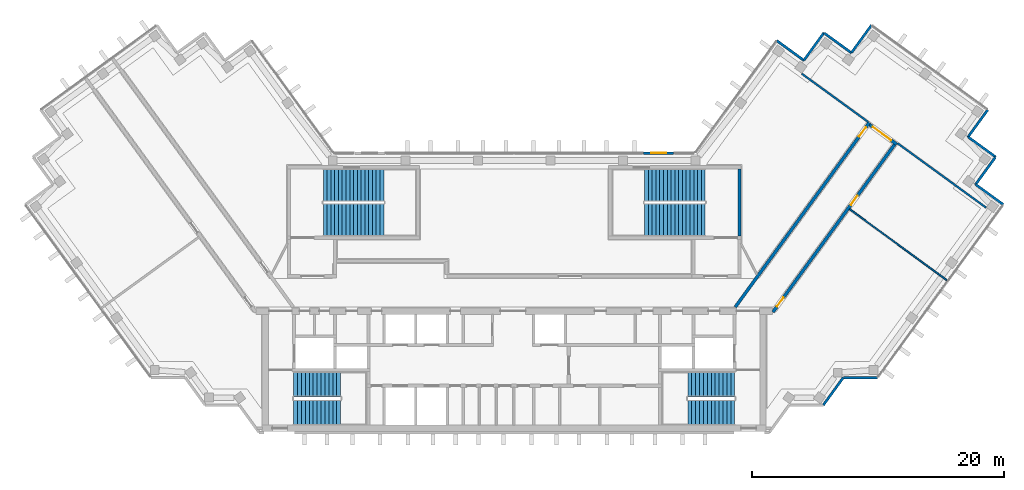
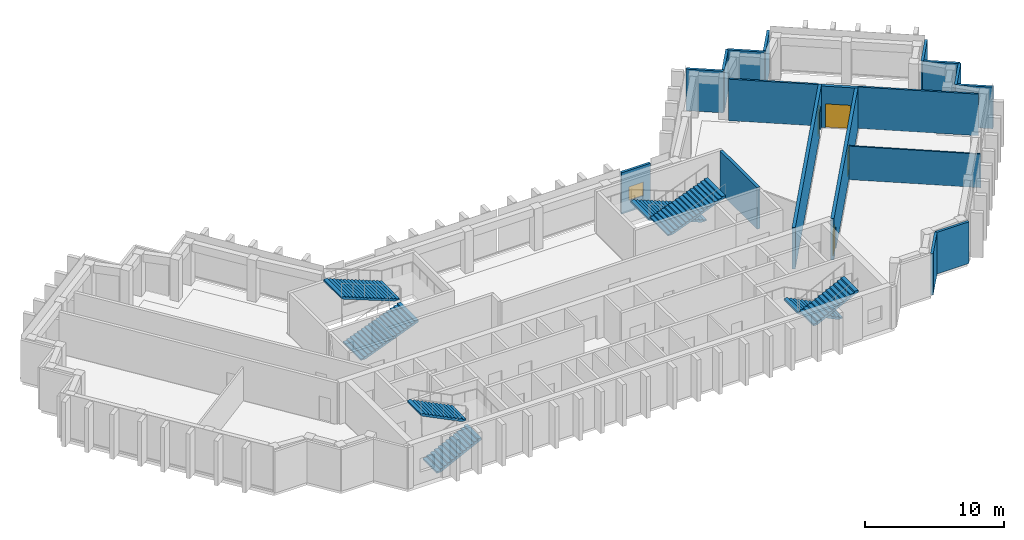
# One storey, part 6 of 8: 18 walls, 8 stair flights, 4 doors, 1 window, 5 openings, 4 elements without a shape of their own.
"""IFC4 building model written with IfcOpenShell, lengths in metres."""

from ifc_helpers import new_model, si_unit, direction, frame, frame_2d, origin, place, context, subcontext, project, spatial, polyline, rectangle, outline, extrude, material, layer, layer_set, type_object, element, fill, aggregate, save


model = new_model("IFC4")

# Units and contexts
model_context = context("Model", 3, precision=1e-05, world=origin(), true_north=direction((0.0, 1.0)))
body_context = subcontext(model_context, "Body", "Model", "MODEL_VIEW")
ifc_project = project(units=[si_unit("LENGTHUNIT", "METRE"), si_unit("AREAUNIT", "SQUARE_METRE"), si_unit("VOLUMEUNIT", "CUBIC_METRE"), si_unit("PLANEANGLEUNIT", "RADIAN"), si_unit("MASSUNIT", "GRAM", prefix="KILO")], contexts=[model_context])

# Site, building, storey
site_placement = place(None, origin())
site = spatial("IfcSite", under=ifc_project, at=site_placement, CompositionType="ELEMENT")
building_placement = place(site_placement, origin())
building = spatial("IfcBuilding", under=site, at=building_placement, Name="Quipu Civic Tower", CompositionType="ELEMENT")
storey_placement = place(building_placement, frame((0.0, 0.0, 281.0)))
storey = spatial("IfcBuildingStorey", under=building, at=storey_placement, Name="L65", CompositionType="ELEMENT", Elevation=281.0)

# Walls
ifc_material_1 = material(Name="Double gypsum plasterboard with mineral wool")
ifc_layer_1 = layer(ifc_material_1, 0.14990234375)
ifc_layer_set_1 = layer_set([ifc_layer_1], Name="Double gypsum plasterboard with mineral wool")
wall_type_1 = type_object("IfcWallType", Name="Acoustic partition 150 plasterboard", PredefinedType="PARTITIONING", material=ifc_layer_set_1)
wall_1_placement = place(storey_placement, frame((28.0732421875, 13.577880859375, 0.0), z_axis=(0.0, 0.0, 1.0), x_axis=(-0.809000932727, 0.587807358619, 0.0)))
element("IfcWall", 1, at=wall_1_placement, inside=storey, type_object=wall_type_1, Name="Partition P01", PredefinedType="PARTITIONING", context=body_context, shape_type="SweptSolid", body=[
    extrude(rectangle(XDim=6.49560546875, YDim=0.14990234375, at=frame_2d((3.247802734375, 0.0))), origin(), (0.0, 0.0, 1.0), 3.64990234375),
])
wall_2_placement = place(storey_placement, frame((37.4580078125, 6.759765625, 0.0), z_axis=(0.0, 0.0, 1.0), x_axis=(-0.809016295501, 0.587786214209, 0.0)))
element("IfcWall", 2, at=wall_2_placement, inside=storey, type_object=wall_type_1, Name="Partition P02", PredefinedType="PARTITIONING", context=body_context, shape_type="SweptSolid", body=[
    extrude(rectangle(XDim=8.700439453125, YDim=0.14990234375, at=frame_2d((4.35009765625, 0.0))), origin(), (0.0, 0.0, 1.0), 3.64990234375),
])
ifc_material_2 = material(Name="Concrete C70/85", Category="concrete")
ifc_layer_2 = layer(ifc_material_2, 0.25)
ifc_layer_set_2 = layer_set([ifc_layer_2], Name="Concrete C70/85")
wall_type_2 = type_object("IfcWallType", Name="Core wall 250", PredefinedType="SHEAR", material=ifc_layer_set_2)
wall_3_placement = place(storey_placement, frame((17.875, 4.5, 0.0), z_axis=(0.0, 0.0, 1.0), x_axis=(0.0, 1.0, 0.0)))
element("IfcWall", 3, at=wall_3_placement, inside=storey, type_object=wall_type_2, Name="Core wall", PredefinedType="SHEAR", context=body_context, shape_type="SweptSolid", body=[
    extrude(rectangle(XDim=5.35009765625, YDim=0.25, at=frame_2d((2.675048828125, 0.0))), origin(), (0.0, 0.0, 1.0), 3.64990234375),
])

# Wall, opening, door
ifc_material_3 = material(Name="Concrete C50/60", Category="concrete")
ifc_layer_3 = layer(ifc_material_3, 0.25)
ifc_layer_set_3 = layer_set([ifc_layer_3], Name="Concrete C50/60")
wall_type_3 = type_object("IfcWallType", Name="Corridor wall 250 concrete", PredefinedType="SOLIDWALL", material=ifc_layer_set_3)
wall_4_placement = place(storey_placement, frame((17.544921875, -1.124755859375, 0.0), z_axis=(0.0, 0.0, 1.0), x_axis=(0.58779555165, 0.809009511354, 0.0)))
wall_4 = element("IfcWall", 4, at=wall_4_placement, inside=storey, type_object=wall_type_3, Name="Corridor wall C02", PredefinedType="SOLIDWALL", context=body_context, shape_type="SweptSolid", body=[
    extrude(rectangle(XDim=18.10302734375, YDim=0.25, at=frame_2d((9.051513671875, 0.0))), origin(), (0.0, 0.0, 1.0), 3.64990234375),
])
opening_1_placement = place(wall_4_placement, frame((16.72802734375, 0.0, 0.0)))
opening_1 = element("IfcOpeningElement", 5, at=opening_1_placement, cuts=wall_4, Name="Opening D001", PredefinedType="OPENING", context=body_context, shape_type="SweptSolid", body=[
    extrude(rectangle(XDim=0.89990234375, YDim=2.10009765625, at=frame_2d((0.449951171875, 1.050048828125))), frame((0.0, 0.135009765625, 0.0), z_axis=(0.0, -1.0, 0.0), x_axis=(1.0, 0.0, 0.0)), (0.0, 0.0, 1.0), 0.27001953125),
])
ifc_material_4 = material(Name="Fire rated timber door set with metal frame", Category="wood")
door_type_1 = type_object("IfcDoorType", Name="Single door 900 x 2100 FD60", OperationType="NOTDEFINED", PredefinedType="DOOR", material=ifc_material_4)
door_1_placement = place(opening_1_placement, origin())
door_1 = element("IfcDoor", 6, at=door_1_placement, inside=storey, type_object=door_type_1, Name="Door D001", OperationType="SINGLE_SWING_RIGHT", OverallHeight=2.10009765625, OverallWidth=0.89990234375, PredefinedType="DOOR", context=body_context, shape_type="SweptSolid", body=[
    extrude(rectangle(XDim=0.89990234375, YDim=2.10009765625, at=frame_2d((0.449951171875, 1.050048828125))), frame((0.0, 0.02490234375, 0.0), z_axis=(0.0, -1.0, 0.0), x_axis=(1.0, 0.0, 0.0)), (0.0, 0.0, 1.0), 0.050048828125),
])
fill(opening_1, door_1)

wall_5_placement = place(storey_placement, frame((28.21337890625, 13.34619140625, 0.0), z_axis=(0.0, 0.0, 1.0), x_axis=(0.809006914995, -0.587799125119, 0.0)))
wall_5 = element("IfcWall", 7, at=wall_5_placement, inside=storey, type_object=wall_type_3, Name="Corridor wall C03", PredefinedType="SOLIDWALL", context=body_context, shape_type="SweptSolid", body=[
    extrude(rectangle(XDim=2.64990234375, YDim=0.25, at=frame_2d((1.324951171875, 0.0))), origin(), (0.0, 0.0, 1.0), 3.64990234375),
])
opening_2_placement = place(wall_5_placement, frame((0.30029296875, 0.0, 0.0)))
opening_2 = element("IfcOpeningElement", 8, at=opening_2_placement, cuts=wall_5, Name="Opening D004", PredefinedType="OPENING", context=body_context, shape_type="SweptSolid", body=[
    extrude(rectangle(XDim=1.800048828125, YDim=2.10009765625, at=frame_2d((0.89990234375, 1.050048828125))), frame((0.0, 0.135009765625, 0.0), z_axis=(0.0, -1.0, 0.0), x_axis=(1.0, 0.0, 0.0)), (0.0, 0.0, 1.0), 0.27001953125),
])
ifc_material_5 = material(Name="Fire rated timber door set with metal frame", Category="wood")
door_type_2 = type_object("IfcDoorType", Name="Double door 1800 x 2100 FD60", OperationType="DOUBLE_DOOR_SINGLE_SWING", PredefinedType="DOOR", material=ifc_material_5)
door_2_placement = place(opening_2_placement, origin())
door_2 = element("IfcDoor", 9, at=door_2_placement, inside=storey, type_object=door_type_2, Name="Door D004", OperationType="DOUBLE_DOOR_SINGLE_SWING", OverallHeight=2.10009765625, OverallWidth=1.800048828125, PredefinedType="DOOR", context=body_context, shape_type="SweptSolid", body=[
    extrude(rectangle(XDim=1.800048828125, YDim=2.10009765625, at=frame_2d((0.89990234375, 1.050048828125))), frame((0.0, 0.02490234375, 0.0), z_axis=(0.0, -1.0, 0.0), x_axis=(1.0, 0.0, 0.0)), (0.0, 0.0, 1.0), 0.050048828125),
])
fill(opening_2, door_2)

# Wall, openings, doors
wall_6_placement = place(storey_placement, frame((30.1826171875, 11.760986328125, 0.0), z_axis=(0.0, 0.0, 1.0), x_axis=(-0.587781762867, -0.80901952958, 0.0)))
wall_6 = element("IfcWall", 10, at=wall_6_placement, inside=storey, type_object=wall_type_3, Name="Corridor wall C04", PredefinedType="SOLIDWALL", context=body_context, shape_type="SweptSolid", body=[
    extrude(rectangle(XDim=16.42041015625, YDim=0.25, at=frame_2d((8.210205078125, 0.0))), origin(), (0.0, 0.0, 1.0), 3.64990234375),
])
opening_3_placement = place(wall_6_placement, frame((5.0048828125, 0.0, 0.0)))
opening_3 = element("IfcOpeningElement", 11, at=opening_3_placement, cuts=wall_6, Name="Opening D003", PredefinedType="OPENING", context=body_context, shape_type="SweptSolid", body=[
    extrude(rectangle(XDim=0.89990234375, YDim=2.10009765625, at=frame_2d((0.449951171875, 1.050048828125))), frame((0.0, 0.135009765625, 0.0), z_axis=(0.0, -1.0, 0.0), x_axis=(1.0, 0.0, 0.0)), (0.0, 0.0, 1.0), 0.27001953125),
])
opening_4_placement = place(wall_6_placement, frame((14.987548828125, 0.0, 0.0)))
opening_4 = element("IfcOpeningElement", 12, at=opening_4_placement, cuts=wall_6, Name="Opening D002", PredefinedType="OPENING", context=body_context, shape_type="SweptSolid", body=[
    extrude(rectangle(XDim=0.89990234375, YDim=2.10009765625, at=frame_2d((0.449951171875, 1.050048828125))), frame((0.0, 0.135009765625, 0.0), z_axis=(0.0, -1.0, 0.0), x_axis=(1.0, 0.0, 0.0)), (0.0, 0.0, 1.0), 0.27001953125),
])
door_3_placement = place(opening_3_placement, origin())
door_3 = element("IfcDoor", 13, at=door_3_placement, inside=storey, type_object=door_type_1, Name="Door D003", OperationType="SINGLE_SWING_RIGHT", OverallHeight=2.10009765625, OverallWidth=0.89990234375, PredefinedType="DOOR", context=body_context, shape_type="SweptSolid", body=[
    extrude(rectangle(XDim=0.89990234375, YDim=2.10009765625, at=frame_2d((0.449951171875, 1.050048828125))), frame((0.0, 0.02490234375, 0.0), z_axis=(0.0, -1.0, 0.0), x_axis=(1.0, 0.0, 0.0)), (0.0, 0.0, 1.0), 0.050048828125),
])
fill(opening_3, door_3)
door_4_placement = place(opening_4_placement, origin())
door_4 = element("IfcDoor", 14, at=door_4_placement, inside=storey, type_object=door_type_1, Name="Door D002", OperationType="SINGLE_SWING_RIGHT", OverallHeight=2.10009765625, OverallWidth=0.89990234375, PredefinedType="DOOR", context=body_context, shape_type="SweptSolid", body=[
    extrude(rectangle(XDim=0.89990234375, YDim=2.10009765625, at=frame_2d((0.449951171875, 1.050048828125))), frame((0.0, 0.02490234375, 0.0), z_axis=(0.0, -1.0, 0.0), x_axis=(1.0, 0.0, 0.0)), (0.0, 0.0, 1.0), 0.050048828125),
])
fill(opening_4, door_4)

# Walls
ifc_material_6 = material(Name="Gypsum plasterboard on light gauge framing")
ifc_layer_4 = layer(ifc_material_6, 0.1201171875)
ifc_layer_set_4 = layer_set([ifc_layer_4], Name="Gypsum plasterboard on light gauge framing")
wall_type_4 = type_object("IfcWallType", Name="Partition 120 plasterboard", PredefinedType="PARTITIONING", material=ifc_layer_set_4)
wall_7_placement = place(storey_placement, frame((26.618896484375, 6.643310546875, 0.0), z_axis=(0.0, 0.0, 1.0), x_axis=(0.807594822539, -0.589737740532, 0.0)))
element("IfcWall", 15, at=wall_7_placement, inside=storey, type_object=wall_type_4, Name="Partition P03", PredefinedType="PARTITIONING", context=body_context, shape_type="SweptSolid", body=[
    extrude(rectangle(XDim=9.550048828125, YDim=0.1201171875, at=frame_2d((4.77490234375, 0.0))), origin(), (0.0, 0.0, 1.0), 2.949951171875),
])
ifc_material_7 = material(Name="Precast concrete C40/50", Category="concrete")
wall_type_5 = type_object("IfcWallType", Name="Precast cladding wall", PredefinedType="SOLIDWALL", material=ifc_material_7)
wall_8_placement = place(storey_placement, frame((24.533203125, -8.90869140625, 0.0), z_axis=(0.0, 0.0, 1.0), x_axis=(0.587720002413, 0.809064397168, 0.0)))
element("IfcWall", 16, at=wall_8_placement, inside=storey, type_object=wall_type_5, Name="Precast cladding wall L65 21", PredefinedType="SOLIDWALL", context=body_context, shape_type="SweptSolid", body=[
    extrude(rectangle(XDim=2.7001953125, YDim=0.199951171875, at=frame_2d((1.35009765625, 0.0))), origin(), (0.0, 0.0, 1.0), 3.64990234375),
])
for number, where, z_axis, x_axis, name in (
    (17, (26.1298828125, -6.71923828125, 0.0), (0.0, 0.0, 1.0), (1.0, 0.0, 0.0), "Precast cladding wall L65 22"),
    (18, (38.813720703125, 7.010498046875, 0.0), (0.0, 0.0, 1.0), (-0.809033161865, 0.587762999008, 0.0), "Precast cladding wall L65 24"),
    (19, (36.60205078125, 8.580322265625, 0.0), (0.0, 0.0, 1.0), (0.587822180636, 0.808990163075, 0.0), "Precast cladding wall L65 25"),
    (20, (38.21630859375, 10.78173828125, 0.0), (0.0, 0.0, 1.0), (-0.809033161865, 0.587762999008, 0.0), "Precast cladding wall L65 26"),
    (21, (36.0048828125, 12.3515625, 0.0), (0.0, 0.0, 1.0), (0.587762999008, 0.809033161865, 0.0), "Precast cladding wall L65 27"),
):
    element("IfcWall", number, at=place(storey_placement, frame(where, z_axis=z_axis, x_axis=x_axis)), inside=storey, type_object=wall_type_5, Name=name, PredefinedType="SOLIDWALL", context=body_context, shape_type="SweptSolid", body=[
        extrude(rectangle(XDim=2.699951171875, YDim=0.199951171875, at=frame_2d((1.35009765625, 0.0))), origin(), (0.0, 0.0, 1.0), 3.64990234375),
    ])
for number, where, z_axis, x_axis, name in (
    (22, (28.3544921875, 21.247314453125, 0.0), (0.0, 0.0, 1.0), (-0.587720002413, -0.809064397168, 0.0), "Precast cladding wall L65 29"),
    (23, (26.78466796875, 19.03564453125, 0.0), (0.0, 0.0, 1.0), (-0.809064397168, 0.587720002413, 0.0), "Precast cladding wall L65 30"),
):
    element("IfcWall", number, at=place(storey_placement, frame(where, z_axis=z_axis, x_axis=x_axis)), inside=storey, type_object=wall_type_5, Name=name, PredefinedType="SOLIDWALL", context=body_context, shape_type="SweptSolid", body=[
        extrude(rectangle(XDim=2.7001953125, YDim=0.199951171875, at=frame_2d((1.35009765625, 0.0))), origin(), (0.0, 0.0, 1.0), 3.64990234375),
    ])
for number, where, z_axis, x_axis, name in (
    (24, (24.583251953125, 20.64990234375, 0.0), (0.0, 0.0, 1.0), (-0.587762999008, -0.809033161865, 0.0), "Precast cladding wall L65 31"),
    (25, (23.01318359375, 18.438232421875, 0.0), (0.0, 0.0, 1.0), (-0.808990163075, 0.587822180636, 0.0), "Precast cladding wall L65 32"),
):
    element("IfcWall", number, at=place(storey_placement, frame(where, z_axis=z_axis, x_axis=x_axis)), inside=storey, type_object=wall_type_5, Name=name, PredefinedType="SOLIDWALL", context=body_context, shape_type="SweptSolid", body=[
        extrude(rectangle(XDim=2.699951171875, YDim=0.199951171875, at=frame_2d((1.35009765625, 0.0))), origin(), (0.0, 0.0, 1.0), 3.64990234375),
    ])

# Wall, opening, window
wall_9_placement = place(storey_placement, frame((12.655029296875, 11.10009765625, 0.0), z_axis=(0.0, 0.0, 1.0), x_axis=(-1.0, 0.0, 0.0)))
wall_9 = element("IfcWall", 26, at=wall_9_placement, inside=storey, type_object=wall_type_5, Name="Vent surround SF-L62-2", PredefinedType="SOLIDWALL", context=body_context, shape_type="SweptSolid", body=[
    extrude(rectangle(XDim=2.3916015625, YDim=0.199951171875, at=frame_2d((1.19580078125, 0.0))), origin(), (0.0, 0.0, 1.0), 3.64990234375),
])
opening_5_placement = place(wall_9_placement, frame((0.595703125, 0.0, 1.0)))
opening_5 = element("IfcOpeningElement", 27, at=opening_5_placement, cuts=wall_9, Name="Opening SF-L62-2", PredefinedType="OPENING", context=body_context, shape_type="SweptSolid", body=[
    extrude(rectangle(XDim=1.199951171875, YDim=1.199951171875, at=frame_2d((0.60009765625, 0.60009765625))), frame((0.0, 0.10986328125, 0.0), z_axis=(0.0, -1.0, 0.0), x_axis=(1.0, 0.0, 0.0)), (0.0, 0.0, 1.0), 0.219970703125),
])
ifc_material_8 = material(Name="Anodised aluminium louvre", Category="aluminium")
window_type = type_object("IfcWindowType", Name="Stair vent louvre window P3", PartitioningType="SINGLE_PANEL", PredefinedType="WINDOW", material=ifc_material_8)
window_placement = place(opening_5_placement, origin())
window = element("IfcWindow", 28, at=window_placement, inside=storey, type_object=window_type, Name="Stair vent louvre SF-L62-2", OverallHeight=1.199951171875, OverallWidth=1.199951171875, PartitioningType="SINGLE_PANEL", PredefinedType="WINDOW", context=body_context, shape_type="SweptSolid", body=[
    extrude(rectangle(XDim=1.199951171875, YDim=1.199951171875, at=frame_2d((0.60009765625, 0.60009765625))), frame((0.0, 0.030029296875, 0.0), z_axis=(0.0, -1.0, 0.0), x_axis=(1.0, 0.0, 0.0)), (0.0, 0.0, 1.0), 0.06005859375),
])
fill(opening_5, window)

# Stair, stair flights
ifc_material_9 = material(Name="Concrete C40/50", Category="concrete")
stair_type_1 = type_object("IfcStairType", Name="Half turn stair 2000", PredefinedType="HALF_TURN_STAIR", material=ifc_material_9)
stair_1_placement = place(storey_placement, origin())
stair_1 = element("IfcStair", 29, at=stair_1_placement, inside=storey, type_object=stair_type_1, Name="Exit stair 1", PredefinedType="HALF_TURN_STAIR")
ifc_material_10 = material(Name="Concrete C40/50", Category="concrete")
stair_flight_type_1 = type_object("IfcStairFlightType", Name="Stair flight 2000", PredefinedType="STRAIGHT", material=ifc_material_10)
stair_flight_1_placement = place(storey_placement, frame((-17.5, -9.5, 0.0), z_axis=(0.0, 0.0, 1.0), x_axis=(1.0, 0.0, 0.0)))
stair_flight_1 = element("IfcStairFlight", 30, at=stair_flight_1_placement, type_object=stair_flight_type_1, Name="ST-1 flight 1", NumberOfRisers=13, NumberOfTreads=12, PredefinedType="STRAIGHT", RiserHeight=0.153846154, TreadLength=0.31, context=body_context, shape_type="SweptSolid", body=[
    extrude(outline(polyline([(0.0, 0.0), (0.0, 0.15380859375), (0.31005859375, 0.15380859375), (0.31005859375, 0.3076171875), (0.6201171875, 0.3076171875), (0.6201171875, 0.46142578125), (0.929931640625, 0.46142578125), (0.929931640625, 0.615478515625), (1.239990234375, 0.615478515625), (1.239990234375, 0.769287109375), (1.550048828125, 0.769287109375), (1.550048828125, 0.923095703125), (1.860107421875, 0.923095703125), (1.860107421875, 1.076904296875), (2.169921875, 1.076904296875), (2.169921875, 1.230712890625), (2.47998046875, 1.230712890625), (2.47998046875, 1.384521484375), (2.7900390625, 1.384521484375), (2.7900390625, 1.53857421875), (3.10009765625, 1.53857421875), (3.10009765625, 1.6923828125), (3.409912109375, 1.6923828125), (3.409912109375, 1.84619140625), (3.719970703125, 1.84619140625), (3.719970703125, 2.0), (3.719970703125, 1.6787109375), (0.337158203125, 0.0), (0.0, 0.0)])), frame((0.0, 1.0, 0.0), z_axis=(0.0, -1.0, 0.0), x_axis=(1.0, 0.0, 0.0)), (0.0, 0.0, 1.0), 2.0),
])
stair_flight_2_placement = place(storey_placement, frame((-13.780029296875, -7.25, 2.0), z_axis=(0.0, 0.0, 1.0), x_axis=(-1.0, 0.0, 0.0)))
stair_flight_2 = element("IfcStairFlight", 31, at=stair_flight_2_placement, type_object=stair_flight_type_1, Name="ST-1 flight 2", NumberOfRisers=13, NumberOfTreads=12, PredefinedType="STRAIGHT", RiserHeight=0.153846154, TreadLength=0.31, context=body_context, shape_type="SweptSolid", body=[
    extrude(outline(polyline([(0.0, 0.0), (0.0, 0.15380859375), (0.31005859375, 0.15380859375), (0.31005859375, 0.3076171875), (0.6201171875, 0.3076171875), (0.6201171875, 0.46142578125), (0.929931640625, 0.46142578125), (0.929931640625, 0.615478515625), (1.239990234375, 0.615478515625), (1.239990234375, 0.769287109375), (1.550048828125, 0.769287109375), (1.550048828125, 0.923095703125), (1.860107421875, 0.923095703125), (1.860107421875, 1.076904296875), (2.169921875, 1.076904296875), (2.169921875, 1.230712890625), (2.47998046875, 1.230712890625), (2.47998046875, 1.384521484375), (2.7900390625, 1.384521484375), (2.7900390625, 1.53857421875), (3.10009765625, 1.53857421875), (3.10009765625, 1.6923828125), (3.409912109375, 1.6923828125), (3.409912109375, 1.84619140625), (3.719970703125, 1.84619140625), (3.719970703125, 2.0), (3.719970703125, 1.6787109375), (0.337158203125, 0.0), (0.0, 0.0)])), frame((0.0, 1.0, 0.0), z_axis=(0.0, -1.0, 0.0), x_axis=(1.0, 0.0, 0.0)), (0.0, 0.0, 1.0), 2.0),
])
aggregate(stair_1, [stair_flight_1, stair_flight_2])

stair_2_placement = place(storey_placement, origin())
stair_2 = element("IfcStair", 32, at=stair_2_placement, inside=storey, type_object=stair_type_1, Name="Exit stair 2", PredefinedType="HALF_TURN_STAIR")
stair_flight_3_placement = place(storey_placement, frame((17.5, -7.25, 0.0), z_axis=(0.0, 0.0, 1.0), x_axis=(-1.0, 0.0, 0.0)))
stair_flight_3 = element("IfcStairFlight", 33, at=stair_flight_3_placement, type_object=stair_flight_type_1, Name="ST-2 flight 1", NumberOfRisers=13, NumberOfTreads=12, PredefinedType="STRAIGHT", RiserHeight=0.153846154, TreadLength=0.31, context=body_context, shape_type="SweptSolid", body=[
    extrude(outline(polyline([(0.0, 0.0), (0.0, 0.15380859375), (0.31005859375, 0.15380859375), (0.31005859375, 0.3076171875), (0.6201171875, 0.3076171875), (0.6201171875, 0.46142578125), (0.929931640625, 0.46142578125), (0.929931640625, 0.615478515625), (1.239990234375, 0.615478515625), (1.239990234375, 0.769287109375), (1.550048828125, 0.769287109375), (1.550048828125, 0.923095703125), (1.860107421875, 0.923095703125), (1.860107421875, 1.076904296875), (2.169921875, 1.076904296875), (2.169921875, 1.230712890625), (2.47998046875, 1.230712890625), (2.47998046875, 1.384521484375), (2.7900390625, 1.384521484375), (2.7900390625, 1.53857421875), (3.10009765625, 1.53857421875), (3.10009765625, 1.6923828125), (3.409912109375, 1.6923828125), (3.409912109375, 1.84619140625), (3.719970703125, 1.84619140625), (3.719970703125, 2.0), (3.719970703125, 1.6787109375), (0.337158203125, 0.0), (0.0, 0.0)])), frame((0.0, 1.0, 0.0), z_axis=(0.0, -1.0, 0.0), x_axis=(1.0, 0.0, 0.0)), (0.0, 0.0, 1.0), 2.0),
])
stair_flight_4_placement = place(storey_placement, frame((13.780029296875, -9.5, 2.0), z_axis=(0.0, 0.0, 1.0), x_axis=(1.0, 0.0, 0.0)))
stair_flight_4 = element("IfcStairFlight", 34, at=stair_flight_4_placement, type_object=stair_flight_type_1, Name="ST-2 flight 2", NumberOfRisers=13, NumberOfTreads=12, PredefinedType="STRAIGHT", RiserHeight=0.153846154, TreadLength=0.31, context=body_context, shape_type="SweptSolid", body=[
    extrude(outline(polyline([(0.0, 0.0), (0.0, 0.15380859375), (0.31005859375, 0.15380859375), (0.31005859375, 0.3076171875), (0.6201171875, 0.3076171875), (0.6201171875, 0.46142578125), (0.929931640625, 0.46142578125), (0.929931640625, 0.615478515625), (1.239990234375, 0.615478515625), (1.239990234375, 0.769287109375), (1.550048828125, 0.769287109375), (1.550048828125, 0.923095703125), (1.860107421875, 0.923095703125), (1.860107421875, 1.076904296875), (2.169921875, 1.076904296875), (2.169921875, 1.230712890625), (2.47998046875, 1.230712890625), (2.47998046875, 1.384521484375), (2.7900390625, 1.384521484375), (2.7900390625, 1.53857421875), (3.10009765625, 1.53857421875), (3.10009765625, 1.6923828125), (3.409912109375, 1.6923828125), (3.409912109375, 1.84619140625), (3.719970703125, 1.84619140625), (3.719970703125, 2.0), (3.719970703125, 1.6787109375), (0.337158203125, 0.0), (0.0, 0.0)])), frame((0.0, 1.0, 0.0), z_axis=(0.0, -1.0, 0.0), x_axis=(1.0, 0.0, 0.0)), (0.0, 0.0, 1.0), 2.0),
])
aggregate(stair_2, [stair_flight_3, stair_flight_4])

ifc_material_11 = material(Name="Concrete C40/50", Category="concrete")
stair_type_2 = type_object("IfcStairType", Name="Half turn stair 2600", PredefinedType="HALF_TURN_STAIR", material=ifc_material_11)
stair_3_placement = place(storey_placement, origin())
stair_3 = element("IfcStair", 35, at=stair_3_placement, inside=storey, type_object=stair_type_2, Name="Exit stair 3", PredefinedType="HALF_TURN_STAIR")
ifc_material_12 = material(Name="Concrete C40/50", Category="concrete")
stair_flight_type_2 = type_object("IfcStairFlightType", Name="Stair flight 2600", PredefinedType="STRAIGHT", material=ifc_material_12)
stair_flight_5_placement = place(storey_placement, frame((-15.14990234375, 5.800048828125, 0.0), z_axis=(0.0, 0.0, 1.0), x_axis=(1.0, 0.0, 0.0)))
stair_flight_5 = element("IfcStairFlight", 36, at=stair_flight_5_placement, type_object=stair_flight_type_2, Name="ST-3 flight 1", NumberOfRisers=17, NumberOfTreads=16, PredefinedType="STRAIGHT", RiserHeight=0.117647059, TreadLength=0.3, context=body_context, shape_type="SweptSolid", body=[
    extrude(outline(polyline([(0.0, 0.0), (0.0, 0.11767578125), (0.300048828125, 0.11767578125), (0.300048828125, 0.2353515625), (0.60009765625, 0.2353515625), (0.60009765625, 0.35302734375), (0.89990234375, 0.35302734375), (0.89990234375, 0.470703125), (1.199951171875, 0.470703125), (1.199951171875, 0.588134765625), (1.5, 0.588134765625), (1.5, 0.705810546875), (1.800048828125, 0.705810546875), (1.800048828125, 0.823486328125), (2.10009765625, 0.823486328125), (2.10009765625, 0.941162109375), (2.39990234375, 0.941162109375), (2.39990234375, 1.058837890625), (2.699951171875, 1.058837890625), (2.699951171875, 1.176513671875), (3.0, 1.176513671875), (3.0, 1.294189453125), (3.300048828125, 1.294189453125), (3.300048828125, 1.411865234375), (3.60009765625, 1.411865234375), (3.60009765625, 1.529296875), (3.89990234375, 1.529296875), (3.89990234375, 1.64697265625), (4.199951171875, 1.64697265625), (4.199951171875, 1.7646484375), (4.5, 1.7646484375), (4.5, 1.88232421875), (4.800048828125, 1.88232421875), (4.800048828125, 2.0), (4.800048828125, 1.721435546875), (0.41064453125, 0.0), (0.0, 0.0)])), frame((0.0, 1.300048828125, 0.0), z_axis=(0.0, -1.0, 0.0), x_axis=(1.0, 0.0, 0.0)), (0.0, 0.0, 1.0), 2.60009765625),
])
stair_flight_6_placement = place(storey_placement, frame((-10.35009765625, 8.550048828125, 2.0), z_axis=(0.0, 0.0, 1.0), x_axis=(-1.0, 0.0, 0.0)))
stair_flight_6 = element("IfcStairFlight", 37, at=stair_flight_6_placement, type_object=stair_flight_type_2, Name="ST-3 flight 2", NumberOfRisers=17, NumberOfTreads=16, PredefinedType="STRAIGHT", RiserHeight=0.117647059, TreadLength=0.3, context=body_context, shape_type="SweptSolid", body=[
    extrude(outline(polyline([(0.0, 0.0), (0.0, 0.11767578125), (0.300048828125, 0.11767578125), (0.300048828125, 0.2353515625), (0.60009765625, 0.2353515625), (0.60009765625, 0.35302734375), (0.89990234375, 0.35302734375), (0.89990234375, 0.470703125), (1.199951171875, 0.470703125), (1.199951171875, 0.588134765625), (1.5, 0.588134765625), (1.5, 0.705810546875), (1.800048828125, 0.705810546875), (1.800048828125, 0.823486328125), (2.10009765625, 0.823486328125), (2.10009765625, 0.941162109375), (2.39990234375, 0.941162109375), (2.39990234375, 1.058837890625), (2.699951171875, 1.058837890625), (2.699951171875, 1.176513671875), (3.0, 1.176513671875), (3.0, 1.294189453125), (3.300048828125, 1.294189453125), (3.300048828125, 1.411865234375), (3.60009765625, 1.411865234375), (3.60009765625, 1.529296875), (3.89990234375, 1.529296875), (3.89990234375, 1.64697265625), (4.199951171875, 1.64697265625), (4.199951171875, 1.7646484375), (4.5, 1.7646484375), (4.5, 1.88232421875), (4.800048828125, 1.88232421875), (4.800048828125, 2.0), (4.800048828125, 1.721435546875), (0.41064453125, 0.0), (0.0, 0.0)])), frame((0.0, 1.300048828125, 0.0), z_axis=(0.0, -1.0, 0.0), x_axis=(1.0, 0.0, 0.0)), (0.0, 0.0, 1.0), 2.60009765625),
])
aggregate(stair_3, [stair_flight_5, stair_flight_6])

stair_4_placement = place(storey_placement, origin())
stair_4 = element("IfcStair", 38, at=stair_4_placement, inside=storey, type_object=stair_type_2, Name="Exit stair 4", PredefinedType="HALF_TURN_STAIR")
stair_flight_7_placement = place(storey_placement, frame((15.14990234375, 8.550048828125, 0.0), z_axis=(0.0, 0.0, 1.0), x_axis=(-1.0, 0.0, 0.0)))
stair_flight_7 = element("IfcStairFlight", 39, at=stair_flight_7_placement, type_object=stair_flight_type_2, Name="ST-4 flight 1", NumberOfRisers=17, NumberOfTreads=16, PredefinedType="STRAIGHT", RiserHeight=0.117647059, TreadLength=0.3, context=body_context, shape_type="SweptSolid", body=[
    extrude(outline(polyline([(0.0, 0.0), (0.0, 0.11767578125), (0.300048828125, 0.11767578125), (0.300048828125, 0.2353515625), (0.60009765625, 0.2353515625), (0.60009765625, 0.35302734375), (0.89990234375, 0.35302734375), (0.89990234375, 0.470703125), (1.199951171875, 0.470703125), (1.199951171875, 0.588134765625), (1.5, 0.588134765625), (1.5, 0.705810546875), (1.800048828125, 0.705810546875), (1.800048828125, 0.823486328125), (2.10009765625, 0.823486328125), (2.10009765625, 0.941162109375), (2.39990234375, 0.941162109375), (2.39990234375, 1.058837890625), (2.699951171875, 1.058837890625), (2.699951171875, 1.176513671875), (3.0, 1.176513671875), (3.0, 1.294189453125), (3.300048828125, 1.294189453125), (3.300048828125, 1.411865234375), (3.60009765625, 1.411865234375), (3.60009765625, 1.529296875), (3.89990234375, 1.529296875), (3.89990234375, 1.64697265625), (4.199951171875, 1.64697265625), (4.199951171875, 1.7646484375), (4.5, 1.7646484375), (4.5, 1.88232421875), (4.800048828125, 1.88232421875), (4.800048828125, 2.0), (4.800048828125, 1.721435546875), (0.41064453125, 0.0), (0.0, 0.0)])), frame((0.0, 1.300048828125, 0.0), z_axis=(0.0, -1.0, 0.0), x_axis=(1.0, 0.0, 0.0)), (0.0, 0.0, 1.0), 2.60009765625),
])
stair_flight_8_placement = place(storey_placement, frame((10.35009765625, 5.800048828125, 2.0), z_axis=(0.0, 0.0, 1.0), x_axis=(1.0, 0.0, 0.0)))
stair_flight_8 = element("IfcStairFlight", 40, at=stair_flight_8_placement, type_object=stair_flight_type_2, Name="ST-4 flight 2", NumberOfRisers=17, NumberOfTreads=16, PredefinedType="STRAIGHT", RiserHeight=0.117647059, TreadLength=0.3, context=body_context, shape_type="SweptSolid", body=[
    extrude(outline(polyline([(0.0, 0.0), (0.0, 0.11767578125), (0.300048828125, 0.11767578125), (0.300048828125, 0.2353515625), (0.60009765625, 0.2353515625), (0.60009765625, 0.35302734375), (0.89990234375, 0.35302734375), (0.89990234375, 0.470703125), (1.199951171875, 0.470703125), (1.199951171875, 0.588134765625), (1.5, 0.588134765625), (1.5, 0.705810546875), (1.800048828125, 0.705810546875), (1.800048828125, 0.823486328125), (2.10009765625, 0.823486328125), (2.10009765625, 0.941162109375), (2.39990234375, 0.941162109375), (2.39990234375, 1.058837890625), (2.699951171875, 1.058837890625), (2.699951171875, 1.176513671875), (3.0, 1.176513671875), (3.0, 1.294189453125), (3.300048828125, 1.294189453125), (3.300048828125, 1.411865234375), (3.60009765625, 1.411865234375), (3.60009765625, 1.529296875), (3.89990234375, 1.529296875), (3.89990234375, 1.64697265625), (4.199951171875, 1.64697265625), (4.199951171875, 1.7646484375), (4.5, 1.7646484375), (4.5, 1.88232421875), (4.800048828125, 1.88232421875), (4.800048828125, 2.0), (4.800048828125, 1.721435546875), (0.41064453125, 0.0), (0.0, 0.0)])), frame((0.0, 1.300048828125, 0.0), z_axis=(0.0, -1.0, 0.0), x_axis=(1.0, 0.0, 0.0)), (0.0, 0.0, 1.0), 2.60009765625),
])
aggregate(stair_4, [stair_flight_7, stair_flight_8])

save(model, "model.ifc")
